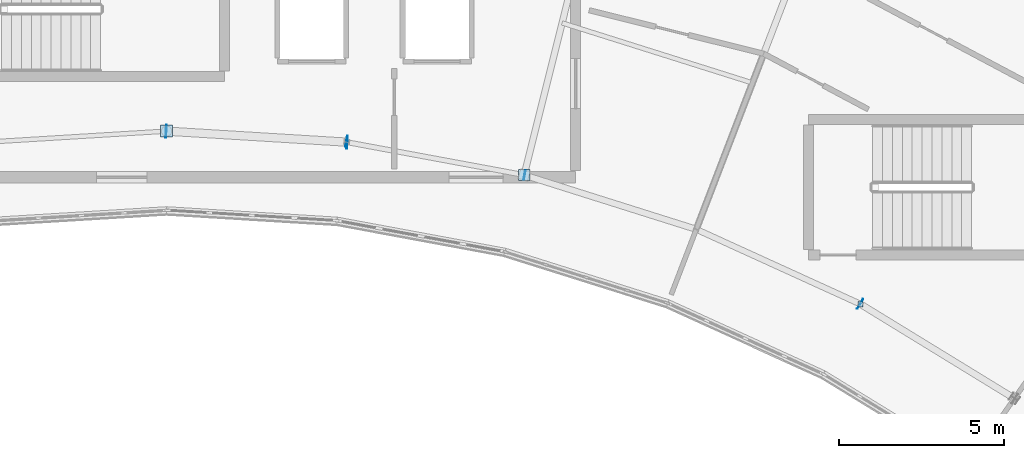
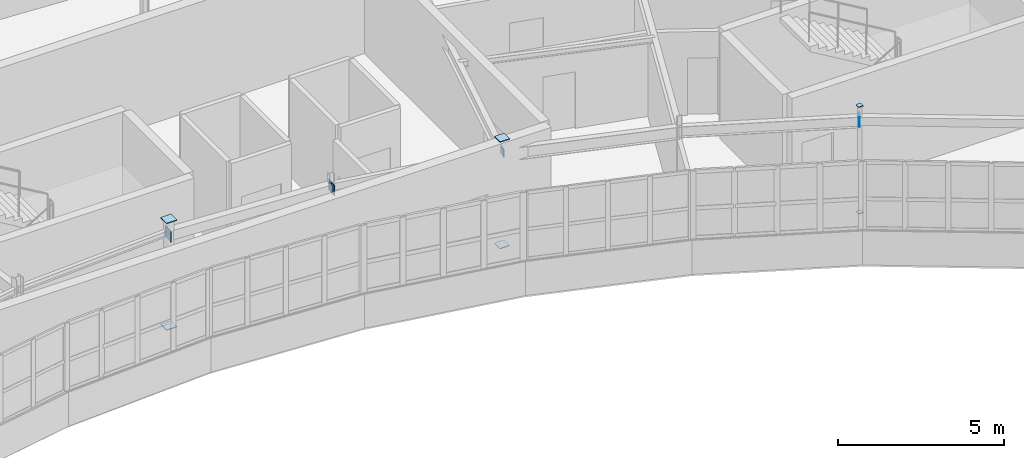
# One storey, part 50 of 60: 11 plates.
"""IFC4 building model written with IfcOpenShell, lengths in metres."""

from ifc_helpers import new_model, si_unit, direction, frame, origin, origin_2d, place, context, subcontext, project, spatial, rectangle, extrude, material, layer, layer_set, type_object, element, save


model = new_model("IFC4")

# Units and contexts
model_context = context("Model", 3, precision=1e-05, world=origin(), true_north=direction((0.0, 1.0)))
body_context = subcontext(model_context, "Body", "Model", "MODEL_VIEW")
ifc_project = project(units=[si_unit("LENGTHUNIT", "METRE"), si_unit("AREAUNIT", "SQUARE_METRE"), si_unit("VOLUMEUNIT", "CUBIC_METRE"), si_unit("PLANEANGLEUNIT", "RADIAN"), si_unit("MASSUNIT", "GRAM", prefix="KILO")], contexts=[model_context])

# Site, building, storey
site_placement = place(None, origin())
site = spatial("IfcSite", under=ifc_project, at=site_placement, CompositionType="ELEMENT")
building_placement = place(site_placement, origin())
building = spatial("IfcBuilding", under=site, at=building_placement, Name="Tarnwether General Hospital", CompositionType="ELEMENT")
storey_placement = place(building_placement, frame((0.0, 0.0, 26.10009765625)))
storey = spatial("IfcBuildingStorey", under=building, at=storey_placement, Name="L06", CompositionType="ELEMENT", Elevation=26.10009765625)

# Plates
ifc_material = material(Name="Steel Grade 350 (350 MPa)", Category="steel")
ifc_layer = layer(ifc_material, 0.02490234375)
ifc_layer_set = layer_set([ifc_layer], Name="Steel Grade 350 (350 MPa)")
plate_type = type_object("IfcPlateType", Name="PT-GUS2", PredefinedType="USERDEFINED", material=ifc_layer_set)
for number, where, z_axis, x_axis, name in (
    (1, (92.0, 107.800048828125, -0.025146484375), (0.0, 0.0, 1.0), (1.0, 0.0, 0.0), "Hollow Section Welded End Cap Plate 0535"),
    (2, (92.0, 107.800048828125, 3.89990234375), (0.0, 0.0, 1.0), (1.0, 0.0, 0.0), "Hollow Section Welded End Cap Plate 0536"),
):
    element("IfcPlate", number, at=place(storey_placement, frame(where, z_axis=z_axis, x_axis=x_axis)), inside=storey, type_object=plate_type, Name=name, ObjectType="GUSSET", PredefinedType="USERDEFINED", context=body_context, shape_type="SweptSolid", body=[
        extrude(rectangle(XDim=0.364013671875, YDim=0.364013671875, at=origin_2d()), origin(), (0.0, 0.0, 1.0), 0.02490234375),
    ])
for number, where, z_axis, x_axis, name in (
    (3, (102.837890625, 106.468994140625, -0.025146484375), (0.0, 0.0, 1.0), (1.0, 0.0, 0.0), "Hollow Section Welded End Cap Plate 0563"),
    (4, (102.837890625, 106.468994140625, 3.89990234375), (0.0, 0.0, 1.0), (1.0, 0.0, 0.0), "Hollow Section Welded End Cap Plate 0564"),
):
    element("IfcPlate", number, at=place(storey_placement, frame(where, z_axis=z_axis, x_axis=x_axis)), inside=storey, type_object=plate_type, Name=name, ObjectType="GUSSET", PredefinedType="USERDEFINED", context=body_context, shape_type="SweptSolid", body=[
        extrude(rectangle(XDim=0.340087890625, YDim=0.340087890625, at=origin_2d()), origin(), (0.0, 0.0, 1.0), 0.02490234375),
    ])
for number, where, z_axis, x_axis, name in (
    (5, (113.031982421875, 102.555908203125, -0.025146484375), (0.0, 0.0, 1.0), (1.0, 0.0, 0.0), "Hollow Section Welded End Cap Plate 0595"),
    (6, (113.031982421875, 102.555908203125, 3.89990234375), (0.0, 0.0, 1.0), (1.0, 0.0, 0.0), "Hollow Section Welded End Cap Plate 0596"),
):
    element("IfcPlate", number, at=place(storey_placement, frame(where, z_axis=z_axis, x_axis=x_axis)), inside=storey, type_object=plate_type, Name=name, ObjectType="GUSSET", PredefinedType="USERDEFINED", context=body_context, shape_type="SweptSolid", body=[
        extrude(rectangle(XDim=0.1650390625, YDim=0.1650390625, at=origin_2d()), origin(), (0.0, 0.0, 1.0), 0.02490234375),
    ])
for number, where, z_axis, x_axis, name in (
    (7, (91.987548828125, 107.80078125, 3.1748046875), (0.0, 0.0, 1.0), (0.998133732772, -0.061065960264, 0.0), "Hollow Section Welded End Cap Plate 1067"),
    (8, (97.472412109375, 107.465087890625, 3.1748046875), (0.0, 0.0, 1.0), (0.998133732772, -0.061065960264, 0.0), "Hollow Section Welded End Cap Plate 1068"),
):
    element("IfcPlate", number, at=place(storey_placement, frame(where, z_axis=z_axis, x_axis=x_axis)), inside=storey, type_object=plate_type, Name=name, ObjectType="GUSSET", PredefinedType="USERDEFINED", context=body_context, shape_type="SweptSolid", body=[
        extrude(rectangle(XDim=0.02490234375, YDim=0.389892578125, at=origin_2d()), origin(), (0.0, 0.0, 1.0), 0.389892578125),
    ])
for number, where, z_axis, x_axis, name in (
    (9, (97.44775390625, 107.46826171875, 3.27490234375), (0.0, 0.0, 1.0), (0.983245364386, -0.182287008349, 0.0), "Hollow Section Welded End Cap Plate 1071"),
    (10, (102.850341796875, 106.466796875, 3.27490234375), (0.0, 0.0, 1.0), (0.983245364386, -0.182287008349, 0.0), "Hollow Section Welded End Cap Plate 1072"),
):
    element("IfcPlate", number, at=place(storey_placement, frame(where, z_axis=z_axis, x_axis=x_axis)), inside=storey, type_object=plate_type, Name=name, ObjectType="GUSSET", PredefinedType="USERDEFINED", context=body_context, shape_type="SweptSolid", body=[
        extrude(rectangle(XDim=0.02490234375, YDim=0.2900390625, at=origin_2d()), origin(), (0.0, 0.0, 1.0), 0.2900390625),
    ])
plate_placement = place(storey_placement, frame((113.021240234375, 102.5625, 3.22509765625), z_axis=(0.0, 0.0, 1.0), x_axis=(0.852649283545, -0.522483683258, 0.0)))
element("IfcPlate", 11, at=plate_placement, inside=storey, type_object=plate_type, Name="Hollow Section Welded End Cap Plate 1075", ObjectType="GUSSET", PredefinedType="USERDEFINED", context=body_context, shape_type="SweptSolid", body=[
    extrude(rectangle(XDim=0.02490234375, YDim=0.340087890625, at=origin_2d()), origin(), (0.0, 0.0, 1.0), 0.340087890625),
])

save(model, "model.ifc")
